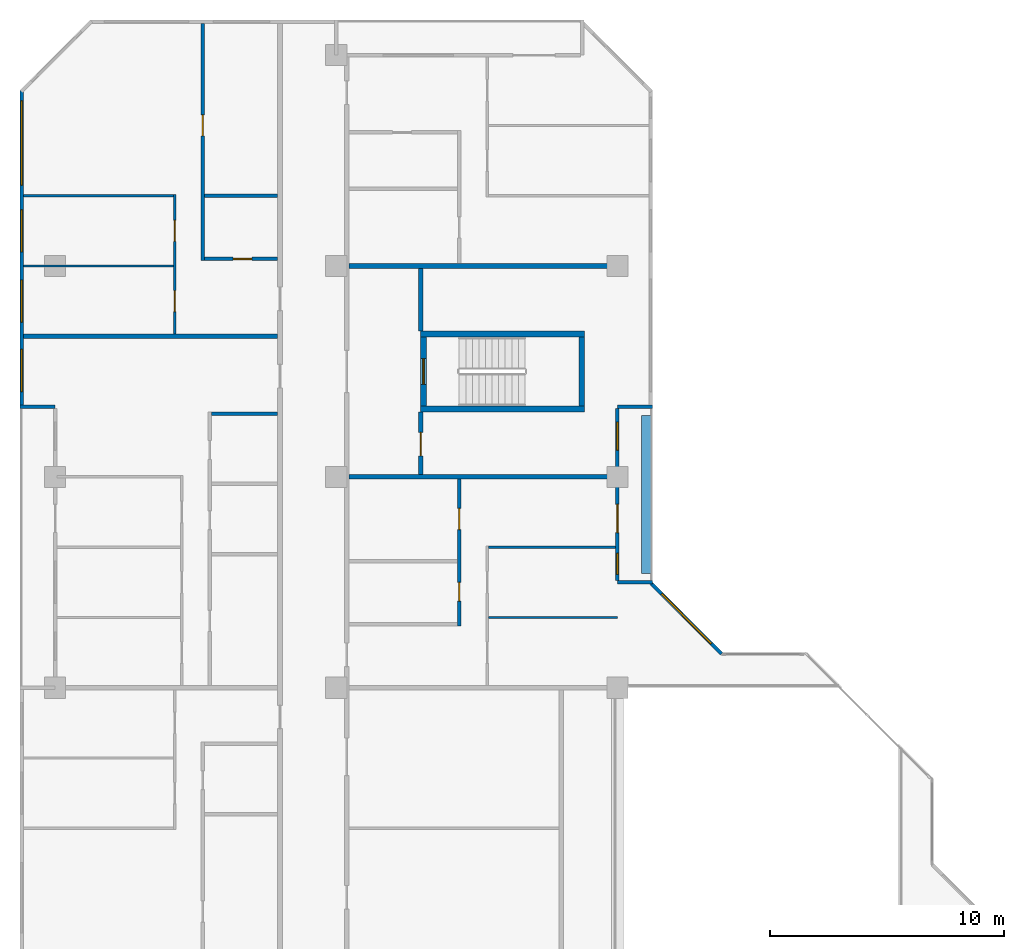
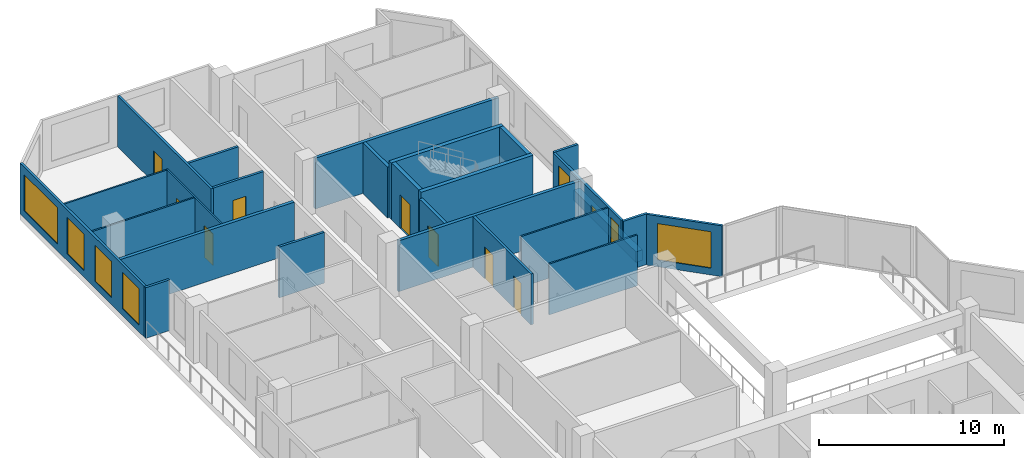
# One storey, part 10 of 14: 26 walls, 9 doors, 7 windows, 16 openings.
"""IFC4 building model written with IfcOpenShell, lengths in metres."""

import ifcopenshell
import ifcopenshell.guid

model = None  # the IFC model being written
_history = None  # IfcOwnerHistory: only IFC2X3 demands one
_inside = {}  # id of a spatial element -> (the spatial element, [elements in it])
_under = {}  # id of a project, library or spatial element -> (it, [spatial elements below it])
_declared = {}  # id of a project -> (the project, [libraries it declares])
_typed = {}  # id of a type object -> (the type object, [elements of that type])
_made_of = {}  # id of a material, layer set ... -> (it, [elements and type objects made of it])


def new_model(schema):
    """Start an empty IFC model of exactly this schema.

    Asked for "IFC4X3", IfcOpenShell would pick the latest addendum, in which some entities
    have other attributes; the version numbers below select the first issue.
    IFC2X3 requires an IfcOwnerHistory on every rooted entity: one is made here for all.
    """
    global model, _history
    if schema == "IFC4X3":
        model = ifcopenshell.file(schema_version=(4, 3, 0, 0))
    else:
        model = ifcopenshell.file(schema=schema)
    _inside.clear()
    _under.clear()
    _declared.clear()
    _typed.clear()
    _made_of.clear()
    _history = None
    if model.schema == "IFC2X3":
        org = make("IfcOrganization", Name="unknown")
        user = make(
            "IfcPersonAndOrganization",
            ThePerson=make("IfcPerson", FamilyName="unknown"),
            TheOrganization=org,
        )
        app = make(
            "IfcApplication",
            ApplicationDeveloper=org,
            Version="unknown",
            ApplicationFullName="unknown",
            ApplicationIdentifier="unknown",
        )
        _history = make(
            "IfcOwnerHistory",
            OwningUser=user,
            OwningApplication=app,
            ChangeAction="ADDED",
            CreationDate=0,
        )
    return model


def make(cls, **values):
    """One entity of the class cls with the attributes given. An attribute that is None is left unset."""
    return model.create_entity(
        cls, **{name: value for name, value in values.items() if value is not None}
    )


def rooted(cls, **values):
    """An entity with a GlobalId (a new one), such as an element, a storey or a relation."""
    return make(cls, GlobalId=ifcopenshell.guid.new(), OwnerHistory=_history, **values)


def si_unit(unit_type, name, prefix=None):
    """IfcSIUnit, for example si_unit("LENGTHUNIT", "METRE", prefix="MILLI")."""
    return make("IfcSIUnit", UnitType=unit_type, Prefix=prefix, Name=name)


def assignment(units):
    """IfcUnitAssignment: the units of a project."""
    return None if units is None else make("IfcUnitAssignment", Units=units)


def point(xyz):
    """IfcCartesianPoint."""
    return None if xyz is None else make("IfcCartesianPoint", Coordinates=xyz)


def direction(xyz):
    """IfcDirection."""
    return None if xyz is None else make("IfcDirection", DirectionRatios=xyz)


def frame(location, z_axis=None, x_axis=None):
    """IfcAxis2Placement3D, a coordinate frame: its origin and axes. An axis left out is left unset."""
    return make(
        "IfcAxis2Placement3D",
        Location=point(location),
        Axis=direction(z_axis),
        RefDirection=direction(x_axis),
    )


def frame_2d(location, x_axis=None):
    """IfcAxis2Placement2D, a coordinate frame in the plane: its origin and x axis."""
    return make(
        "IfcAxis2Placement2D", Location=point(location), RefDirection=direction(x_axis)
    )


def origin():
    """The frame at (0, 0, 0) with its axes left unset."""
    return frame((0.0, 0.0, 0.0))


def place(relative_to, where):
    """IfcLocalPlacement: puts the frame where relative to a parent placement (None: the world)."""
    return make(
        "IfcLocalPlacement", PlacementRelTo=relative_to, RelativePlacement=where
    )


def context(
    kind, dimensions, precision=None, world=None, true_north=None, identifier=None
):
    """IfcGeometricRepresentationContext, for example the 3D "Model" context."""
    return make(
        "IfcGeometricRepresentationContext",
        ContextIdentifier=identifier,
        ContextType=kind,
        CoordinateSpaceDimension=dimensions,
        Precision=precision,
        WorldCoordinateSystem=world,
        TrueNorth=true_north,
    )


def subcontext(parent, identifier, kind, view, scale=None):
    """IfcGeometricRepresentationSubContext, for example "Body" below "Model"."""
    return make(
        "IfcGeometricRepresentationSubContext",
        ContextIdentifier=identifier,
        ContextType=kind,
        ParentContext=parent,
        TargetScale=scale,
        TargetView=view,
    )


def project(units=None, contexts=None):
    """IfcProject with its units and contexts."""
    return rooted(
        "IfcProject",
        Name="project",
        RepresentationContexts=contexts,
        UnitsInContext=assignment(units),
    )


def spatial(cls, under=None, at=None, **own):
    """A site, building, storey or space (cls), placed at a placement, below another one or the project."""
    s = rooted(cls, ObjectPlacement=at, **own)
    if under is not None:
        _under.setdefault(under.id(), (under, []))[1].append(s)
    return s


def profile(cls, at=None, kind="AREA", **sizes):
    """A parametric profile (cls). Its sizes go by their IFC names, for example OverallWidth=200.0."""
    return make(cls, ProfileType=kind, Position=at, **sizes)


def rectangle(**sizes):
    """IfcRectangleProfileDef."""
    return profile("IfcRectangleProfileDef", **sizes)


def extrude(swept, where, along, depth):
    """IfcExtrudedAreaSolid: the profile swept, set in the frame where, extruded along a direction by depth."""
    return make(
        "IfcExtrudedAreaSolid",
        SweptArea=swept,
        Position=where,
        ExtrudedDirection=direction(along),
        Depth=depth,
    )


def shape(context_of_items, identifier, shape_type, items):
    """IfcShapeRepresentation: the items that make up one representation, for example the "Body"."""
    return make(
        "IfcShapeRepresentation",
        ContextOfItems=context_of_items,
        RepresentationIdentifier=identifier,
        RepresentationType=shape_type,
        Items=items,
    )


def material(Name=None, Category=None):
    """IfcMaterial."""
    return make("IfcMaterial", Name=Name, Category=Category)


def layer(
    of_material, thickness, ventilated=None, Name=None, Category=None, Priority=None
):
    """IfcMaterialLayer: one layer of a wall or slab, of a material (None: an air gap)."""
    return make(
        "IfcMaterialLayer",
        Material=of_material,
        LayerThickness=thickness,
        IsVentilated=ventilated,
        Name=Name,
        Category=Category,
        Priority=Priority,
    )


def layer_set(layers, Name=None):
    """IfcMaterialLayerSet."""
    return make("IfcMaterialLayerSet", MaterialLayers=layers, LayerSetName=Name)


def made_of(thing, what):
    """Note that an element or type object is made of a material, layer set ...; save() writes the relation."""
    if what is not None:
        _made_of.setdefault(what.id(), (what, []))[1].append(thing)
    return thing


def type_object(cls, material=None, **own):
    """A type object (cls), such as IfcWallType, which elements share."""
    return made_of(rooted(cls, **own), material)


def element(
    cls,
    number,
    at=None,
    inside=None,
    cuts=None,
    type_object=None,
    material=None,
    context=None,
    identifier="Body",
    shape_type=None,
    held_by="IfcProductDefinitionShape",
    body=None,
    shapes=None,
    **own,
):
    """One element of the class cls, such as IfcWall. Its Tag is "e" and its number.

    at: its placement. inside: the storey or other place that contains it. cuts: it is an
    opening in that element (IfcRelVoidsElement). A single representation is given by context,
    identifier, shape_type and body (its items); several are given by shapes. held_by: the class
    of the entity that holds the representations. save() writes the other relations.
    """
    e = rooted(cls, Tag="e%d" % number, ObjectPlacement=at, **own)
    if body is not None:
        shapes = [shape(context, identifier, shape_type, body)]
    if shapes is not None:
        e.Representation = make(held_by, Representations=shapes)
    if inside is not None:
        _inside.setdefault(inside.id(), (inside, []))[1].append(e)
    if cuts is not None:
        rooted(
            "IfcRelVoidsElement", RelatingBuildingElement=cuts, RelatedOpeningElement=e
        )
    if type_object is not None:
        _typed.setdefault(type_object.id(), (type_object, []))[1].append(e)
    return made_of(e, material)


def fill(opening, filler):
    """IfcRelFillsElement: the door or window that sits in an opening."""
    return rooted(
        "IfcRelFillsElement",
        RelatingOpeningElement=opening,
        RelatedBuildingElement=filler,
    )


def aggregate(whole, parts):
    """IfcRelAggregates: a whole, such as a stair, and the parts it consists of."""
    return rooted("IfcRelAggregates", RelatingObject=whole, RelatedObjects=parts)


def save(model, path):
    """Write the relations noted so far, then the file.

    IfcRelAggregates (storeys below a building ...), IfcRelContainedInSpatialStructure (elements
    in a storey), IfcRelDefinesByType, IfcRelAssociatesMaterial and IfcRelDeclares: one each for
    every whole, place, type object, material and project.
    """
    for whole, parts in _under.values():
        aggregate(whole, parts)
    for where, things in _inside.values():
        rooted(
            "IfcRelContainedInSpatialStructure",
            RelatedElements=things,
            RelatingStructure=where,
        )
    for kind, things in _typed.values():
        rooted("IfcRelDefinesByType", RelatedObjects=things, RelatingType=kind)
    for what, things in _made_of.values():
        rooted("IfcRelAssociatesMaterial", RelatedObjects=things, RelatingMaterial=what)
    for by, libraries in _declared.values():
        rooted("IfcRelDeclares", RelatingContext=by, RelatedDefinitions=libraries)
    model.write(path)


model = new_model("IFC4")

# Units and contexts
model_context = context("Model", 3, precision=1e-05, world=origin(), true_north=direction((0.0, 1.0)))
body_context = subcontext(model_context, "Body", "Model", "MODEL_VIEW")
ifc_project = project(units=[si_unit("LENGTHUNIT", "METRE"), si_unit("AREAUNIT", "SQUARE_METRE"), si_unit("VOLUMEUNIT", "CUBIC_METRE"), si_unit("PLANEANGLEUNIT", "RADIAN"), si_unit("MASSUNIT", "GRAM", prefix="KILO")], contexts=[model_context])

# Site, building, storey
site_placement = place(None, origin())
site = spatial("IfcSite", under=ifc_project, at=site_placement, CompositionType="ELEMENT")
building_placement = place(site_placement, origin())
building = spatial("IfcBuilding", under=site, at=building_placement, Name="Chenar Terraces", CompositionType="ELEMENT")
storey_placement = place(building_placement, frame((0.0, 0.0, 168.64990234375)))
storey = spatial("IfcBuildingStorey", under=building, at=storey_placement, Name="L38", CompositionType="ELEMENT", Elevation=168.64990234375)

# Walls
ifc_material_1 = material(Name="Concrete C60/75", Category="concrete")
ifc_layer_1 = layer(ifc_material_1, 0.25)
ifc_layer_set_1 = layer_set([ifc_layer_1], Name="Concrete C60/75")
wall_type_1 = type_object("IfcWallType", Name="Core wall 250 Concrete C60/75", PredefinedType="SHEAR", material=ifc_layer_set_1)
for number, where, z_axis, x_axis, name in (
    (1, (15.60009765625, 47.89990234375, 0.0), (0.0, 0.0, 1.0), (1.0, 0.0, 0.0), "Core wall ST4_S L38"),
    (2, (15.60009765625, 51.10009765625, 0.0), (0.0, 0.0, 1.0), (1.0, 0.0, 0.0), "Core wall ST4_N L38"),
):
    element("IfcWall", number, at=place(storey_placement, frame(where, z_axis=z_axis, x_axis=x_axis)), inside=storey, type_object=wall_type_1, Name=name, PredefinedType="SHEAR", context=body_context, shape_type="SweptSolid", body=[
        extrude(rectangle(XDim=7.0, YDim=0.25, at=frame_2d((3.5, 0.0))), origin(), (0.0, 0.0, 1.0), 3.75),
    ])

# Wall, opening, door
wall_1_placement = place(storey_placement, frame((15.72509765625, 48.02490234375, 0.0), z_axis=(0.0, 0.0, 1.0), x_axis=(0.0, 1.0, 0.0)))
wall_1 = element("IfcWall", 3, at=wall_1_placement, inside=storey, type_object=wall_type_1, Name="Core wall ST4_W L38", PredefinedType="SHEAR", context=body_context, shape_type="SweptSolid", body=[
    extrude(rectangle(XDim=2.9501953125, YDim=0.25, at=frame_2d((1.47509765625, 0.0))), origin(), (0.0, 0.0, 1.0), 3.75),
])
opening_1_placement = place(wall_1_placement, frame((0.925048828125, 0.0, 0.0)))
opening_1 = element("IfcOpeningElement", 4, at=opening_1_placement, cuts=wall_1, Name="Opening DL38-C9", PredefinedType="OPENING", context=body_context, shape_type="SweptSolid", body=[
    extrude(rectangle(XDim=1.10009765625, YDim=2.199951171875, at=frame_2d((0.550048828125, 1.10009765625))), frame((0.0, 0.135009765625, 0.0), z_axis=(0.0, -1.0, 0.0), x_axis=(1.0, 0.0, 0.0)), (0.0, 0.0, 1.0), 0.27001953125),
])
ifc_material_2 = material(Name="Steel-framed fire-resisting door leaf", Category="steel")
door_type_1 = type_object("IfcDoorType", Name="Stair fire door FD60 1100 x 2200", OperationType="SINGLE_SWING_LEFT", PredefinedType="DOOR", material=ifc_material_2)
door_1_placement = place(opening_1_placement, frame((1.10009765625, 0.0, 0.0), z_axis=(0.0, 0.0, 1.0), x_axis=(-1.0, 0.0, 0.0)))
door_1 = element("IfcDoor", 5, at=door_1_placement, inside=storey, type_object=door_type_1, Name="Stair door DL38-C9", OperationType="SINGLE_SWING_RIGHT", OverallHeight=2.199951171875, OverallWidth=1.10009765625, PredefinedType="DOOR", context=body_context, shape_type="SweptSolid", body=[
    extrude(rectangle(XDim=1.10009765625, YDim=2.199951171875, at=frame_2d((0.550048828125, 1.10009765625))), frame((0.0, 0.02490234375, 0.0), z_axis=(0.0, -1.0, 0.0), x_axis=(1.0, 0.0, 0.0)), (0.0, 0.0, 1.0), 0.050048828125),
])
fill(opening_1, door_1)

# Wall
wall_2_placement = place(storey_placement, frame((22.47509765625, 48.02490234375, 0.0), z_axis=(0.0, 0.0, 1.0), x_axis=(0.0, 1.0, 0.0)))
element("IfcWall", 6, at=wall_2_placement, inside=storey, type_object=wall_type_1, Name="Core wall ST4_E L38", PredefinedType="SHEAR", context=body_context, shape_type="SweptSolid", body=[
    extrude(rectangle(XDim=2.9501953125, YDim=0.25, at=frame_2d((1.47509765625, 0.0))), origin(), (0.0, 0.0, 1.0), 3.75),
])

# Wall, opening, door
ifc_material_3 = material(Name="Gypsum board on steel studs with fire boards", Category="steel")
ifc_layer_2 = layer(ifc_material_3, 0.199951171875)
ifc_layer_set_2 = layer_set([ifc_layer_2], Name="Gypsum board on steel studs with fire boards")
wall_type_2 = type_object("IfcWallType", Name="Corridor wall 200", PredefinedType="PARTITIONING", material=ifc_layer_set_2)
wall_3_placement = place(storey_placement, frame((15.60009765625, 45.10009765625, 0.0), z_axis=(0.0, 0.0, 1.0), x_axis=(0.0, 1.0, 0.0)))
wall_3 = element("IfcWall", 7, at=wall_3_placement, inside=storey, type_object=wall_type_2, Name="Partition L38-042", PredefinedType="PARTITIONING", context=body_context, shape_type="SweptSolid", body=[
    extrude(rectangle(XDim=2.6748046875, YDim=0.199951171875, at=frame_2d((1.33740234375, 0.0))), origin(), (0.0, 0.0, 1.0), 3.35009765625),
])
opening_2_placement = place(wall_3_placement, frame((0.800048828125, 0.0, 0.0)))
opening_2 = element("IfcOpeningElement", 8, at=opening_2_placement, cuts=wall_3, Name="Opening DL38-44", PredefinedType="OPENING", context=body_context, shape_type="SweptSolid", body=[
    extrude(rectangle(XDim=1.0, YDim=2.10009765625, at=frame_2d((0.5, 1.050048828125))), frame((0.0, 0.10986328125, 0.0), z_axis=(0.0, -1.0, 0.0), x_axis=(1.0, 0.0, 0.0)), (0.0, 0.0, 1.0), 0.219970703125),
])
ifc_material_4 = material(Name="Steel-framed fire-resisting door leaf", Category="steel")
door_type_2 = type_object("IfcDoorType", Name="Fire door FD60 1000 x 2100", OperationType="SINGLE_SWING_LEFT", PredefinedType="DOOR", material=ifc_material_4)
door_2_placement = place(opening_2_placement, frame((1.0, 0.0, 0.0), z_axis=(0.0, 0.0, 1.0), x_axis=(-1.0, 0.0, 0.0)))
door_2 = element("IfcDoor", 9, at=door_2_placement, inside=storey, type_object=door_type_2, Name="Door DL38-44", OperationType="SINGLE_SWING_RIGHT", OverallHeight=2.10009765625, OverallWidth=1.0, PredefinedType="DOOR", context=body_context, shape_type="SweptSolid", body=[
    extrude(rectangle(XDim=1.0, YDim=2.10009765625, at=frame_2d((0.5, 1.050048828125))), frame((0.0, 0.02490234375, 0.0), z_axis=(0.0, -1.0, 0.0), x_axis=(1.0, 0.0, 0.0)), (0.0, 0.0, 1.0), 0.050048828125),
])
fill(opening_2, door_2)

# Wall
wall_4_placement = place(storey_placement, frame((15.60009765625, 51.22509765625, 0.0), z_axis=(0.0, 0.0, 1.0), x_axis=(0.0, 1.0, 0.0)))
element("IfcWall", 10, at=wall_4_placement, inside=storey, type_object=wall_type_2, Name="Partition L38-043", PredefinedType="PARTITIONING", context=body_context, shape_type="SweptSolid", body=[
    extrude(rectangle(XDim=2.6748046875, YDim=0.199951171875, at=frame_2d((1.33740234375, 0.0))), origin(), (0.0, 0.0, 1.0), 3.35009765625),
])

# Wall, openings, windows
ifc_material_5 = material(Name="Aluminium framed glazing", Category="aluminium")
ifc_layer_3 = layer(ifc_material_5, 0.14990234375)
ifc_layer_set_3 = layer_set([ifc_layer_3], Name="Aluminium framed glazing")
wall_type_3 = type_object("IfcWallType", Name="Glazed flush facade wall 150", PredefinedType="SOLIDWALL", material=ifc_layer_set_3)
wall_5_placement = place(storey_placement, frame((-1.425048828125, 61.5, 0.0), z_axis=(0.0, 0.0, 1.0), x_axis=(0.0, -1.0, 0.0)))
wall_5 = element("IfcWall", 11, at=wall_5_placement, inside=storey, type_object=wall_type_3, Name="Glazed flush facade wall", PredefinedType="SOLIDWALL", context=body_context, shape_type="SweptSolid", body=[
    extrude(rectangle(XDim=13.425048828125, YDim=0.14990234375, at=frame_2d((6.71240234375, 0.0))), origin(), (0.0, 0.0, 1.0), 3.35009765625),
])
opening_3_placement = place(wall_5_placement, frame((0.449951171875, 0.0, 0.449951171875)))
opening_3 = element("IfcOpeningElement", 12, at=opening_3_placement, cuts=wall_5, Name="Opening W360x240", PredefinedType="OPENING", context=body_context, shape_type="SweptSolid", body=[
    extrude(rectangle(XDim=3.60009765625, YDim=2.39990234375, at=frame_2d((1.800048828125, 1.199951171875))), frame((0.0, 0.0849609375, 0.0), z_axis=(0.0, -1.0, 0.0), x_axis=(1.0, 0.0, 0.0)), (0.0, 0.0, 1.0), 0.169921875),
])
opening_4_placement = place(wall_5_placement, frame((5.10009765625, 0.0, 0.449951171875)))
opening_4 = element("IfcOpeningElement", 13, at=opening_4_placement, cuts=wall_5, Name="Opening W180x240", PredefinedType="OPENING", context=body_context, shape_type="SweptSolid", body=[
    extrude(rectangle(XDim=1.800048828125, YDim=2.39990234375, at=frame_2d((0.89990234375, 1.199951171875))), frame((0.0, 0.0849609375, 0.0), z_axis=(0.0, -1.0, 0.0), x_axis=(1.0, 0.0, 0.0)), (0.0, 0.0, 1.0), 0.169921875),
])
opening_5_placement = place(wall_5_placement, frame((8.10009765625, 0.0, 0.449951171875)))
opening_5 = element("IfcOpeningElement", 14, at=opening_5_placement, cuts=wall_5, Name="Opening W180x240", PredefinedType="OPENING", context=body_context, shape_type="SweptSolid", body=[
    extrude(rectangle(XDim=1.800048828125, YDim=2.39990234375, at=frame_2d((0.89990234375, 1.199951171875))), frame((0.0, 0.0849609375, 0.0), z_axis=(0.0, -1.0, 0.0), x_axis=(1.0, 0.0, 0.0)), (0.0, 0.0, 1.0), 0.169921875),
])
opening_6_placement = place(wall_5_placement, frame((11.0625, 0.0, 0.449951171875)))
opening_6 = element("IfcOpeningElement", 15, at=opening_6_placement, cuts=wall_5, Name="Opening W180x240", PredefinedType="OPENING", context=body_context, shape_type="SweptSolid", body=[
    extrude(rectangle(XDim=1.800048828125, YDim=2.39990234375, at=frame_2d((0.89990234375, 1.199951171875))), frame((0.0, 0.0849609375, 0.0), z_axis=(0.0, -1.0, 0.0), x_axis=(1.0, 0.0, 0.0)), (0.0, 0.0, 1.0), 0.169921875),
])
ifc_material_6 = material(Name="Low emissivity double glazing, aluminium frame", Category="aluminium")
window_type_1 = type_object("IfcWindowType", Name="Fixed light 1800 x 2400", PartitioningType="SINGLE_PANEL", PredefinedType="WINDOW", material=ifc_material_6)
window_1_placement = place(opening_4_placement, origin())
window_1 = element("IfcWindow", 16, at=window_1_placement, inside=storey, type_object=window_type_1, Name="Window", OverallHeight=2.39990234375, OverallWidth=1.800048828125, PartitioningType="SINGLE_PANEL", PredefinedType="WINDOW", context=body_context, shape_type="SweptSolid", body=[
    extrude(rectangle(XDim=1.800048828125, YDim=2.39990234375, at=frame_2d((0.89990234375, 1.199951171875))), frame((0.0, 0.030029296875, 0.0), z_axis=(0.0, -1.0, 0.0), x_axis=(1.0, 0.0, 0.0)), (0.0, 0.0, 1.0), 0.06005859375),
])
fill(opening_4, window_1)
window_2_placement = place(opening_5_placement, origin())
window_2 = element("IfcWindow", 17, at=window_2_placement, inside=storey, type_object=window_type_1, Name="Window", OverallHeight=2.39990234375, OverallWidth=1.800048828125, PartitioningType="SINGLE_PANEL", PredefinedType="WINDOW", context=body_context, shape_type="SweptSolid", body=[
    extrude(rectangle(XDim=1.800048828125, YDim=2.39990234375, at=frame_2d((0.89990234375, 1.199951171875))), frame((0.0, 0.030029296875, 0.0), z_axis=(0.0, -1.0, 0.0), x_axis=(1.0, 0.0, 0.0)), (0.0, 0.0, 1.0), 0.06005859375),
])
fill(opening_5, window_2)
window_3_placement = place(opening_6_placement, origin())
window_3 = element("IfcWindow", 18, at=window_3_placement, inside=storey, type_object=window_type_1, Name="Window", OverallHeight=2.39990234375, OverallWidth=1.800048828125, PartitioningType="SINGLE_PANEL", PredefinedType="WINDOW", context=body_context, shape_type="SweptSolid", body=[
    extrude(rectangle(XDim=1.800048828125, YDim=2.39990234375, at=frame_2d((0.89990234375, 1.199951171875))), frame((0.0, 0.030029296875, 0.0), z_axis=(0.0, -1.0, 0.0), x_axis=(1.0, 0.0, 0.0)), (0.0, 0.0, 1.0), 0.06005859375),
])
fill(opening_6, window_3)
ifc_material_7 = material(Name="Low emissivity double glazing, aluminium frame", Category="aluminium")
window_type_2 = type_object("IfcWindowType", Name="Fixed light 3600 x 2400", PartitioningType="SINGLE_PANEL", PredefinedType="WINDOW", material=ifc_material_7)
window_4_placement = place(opening_3_placement, origin())
window_4 = element("IfcWindow", 19, at=window_4_placement, inside=storey, type_object=window_type_2, Name="Window", OverallHeight=2.39990234375, OverallWidth=3.60009765625, PartitioningType="SINGLE_PANEL", PredefinedType="WINDOW", context=body_context, shape_type="SweptSolid", body=[
    extrude(rectangle(XDim=3.60009765625, YDim=2.39990234375, at=frame_2d((1.800048828125, 1.199951171875))), frame((0.0, 0.030029296875, 0.0), z_axis=(0.0, -1.0, 0.0), x_axis=(1.0, 0.0, 0.0)), (0.0, 0.0, 1.0), 0.06005859375),
])
fill(opening_3, window_4)

# Wall, openings, windows, door
ifc_material_8 = material(Name="Aluminium framed glazing", Category="aluminium")
ifc_layer_4 = layer(ifc_material_8, 0.14990234375)
ifc_layer_set_4 = layer_set([ifc_layer_4], Name="Aluminium framed glazing")
wall_type_4 = type_object("IfcWallType", Name="Glazed loggia back wall 150", PredefinedType="SOLIDWALL", material=ifc_layer_set_4)
wall_6_placement = place(storey_placement, frame((24.0, 40.574951171875, 0.0), z_axis=(0.0, 0.0, 1.0), x_axis=(0.0, 1.0, 0.0)))
wall_6 = element("IfcWall", 20, at=wall_6_placement, inside=storey, type_object=wall_type_4, Name="Glazed loggia back wall", PredefinedType="SOLIDWALL", context=body_context, shape_type="SweptSolid", body=[
    extrude(rectangle(XDim=7.35009765625, YDim=0.14990234375, at=frame_2d((3.675048828125, 0.0))), origin(), (0.0, 0.0, 1.0), 3.35009765625),
])
opening_7_placement = place(wall_6_placement, frame((0.262451171875, 0.0, 0.449951171875)))
opening_7 = element("IfcOpeningElement", 21, at=opening_7_placement, cuts=wall_6, Name="Opening W90x240", PredefinedType="OPENING", context=body_context, shape_type="SweptSolid", body=[
    extrude(rectangle(XDim=0.89990234375, YDim=2.39990234375, at=frame_2d((0.449951171875, 1.199951171875))), frame((0.0, 0.0849609375, 0.0), z_axis=(0.0, -1.0, 0.0), x_axis=(1.0, 0.0, 0.0)), (0.0, 0.0, 1.0), 0.169921875),
])
opening_8_placement = place(wall_6_placement, frame((2.050048828125, 0.0, 0.0)))
opening_8 = element("IfcOpeningElement", 22, at=opening_8_placement, cuts=wall_6, Name="Opening DL38-G1", PredefinedType="OPENING", context=body_context, shape_type="SweptSolid", body=[
    extrude(rectangle(XDim=1.199951171875, YDim=2.39990234375, at=frame_2d((0.60009765625, 1.199951171875))), frame((0.0, 0.0849609375, 0.0), z_axis=(0.0, -1.0, 0.0), x_axis=(1.0, 0.0, 0.0)), (0.0, 0.0, 1.0), 0.169921875),
])
opening_9_placement = place(wall_6_placement, frame((5.5625, 0.0, 0.449951171875)))
opening_9 = element("IfcOpeningElement", 23, at=opening_9_placement, cuts=wall_6, Name="Opening W120x240", PredefinedType="OPENING", context=body_context, shape_type="SweptSolid", body=[
    extrude(rectangle(XDim=1.199951171875, YDim=2.39990234375, at=frame_2d((0.60009765625, 1.199951171875))), frame((0.0, 0.0849609375, 0.0), z_axis=(0.0, -1.0, 0.0), x_axis=(1.0, 0.0, 0.0)), (0.0, 0.0, 1.0), 0.169921875),
])
ifc_material_9 = material(Name="Low emissivity double glazing, aluminium frame", Category="aluminium")
window_type_3 = type_object("IfcWindowType", Name="Fixed light 1200 x 2400", PartitioningType="SINGLE_PANEL", PredefinedType="WINDOW", material=ifc_material_9)
window_5_placement = place(opening_9_placement, origin())
window_5 = element("IfcWindow", 24, at=window_5_placement, inside=storey, type_object=window_type_3, Name="Window", OverallHeight=2.39990234375, OverallWidth=1.199951171875, PartitioningType="SINGLE_PANEL", PredefinedType="WINDOW", context=body_context, shape_type="SweptSolid", body=[
    extrude(rectangle(XDim=1.199951171875, YDim=2.39990234375, at=frame_2d((0.60009765625, 1.199951171875))), frame((0.0, 0.030029296875, 0.0), z_axis=(0.0, -1.0, 0.0), x_axis=(1.0, 0.0, 0.0)), (0.0, 0.0, 1.0), 0.06005859375),
])
fill(opening_9, window_5)
ifc_material_10 = material(Name="Low emissivity double glazing, aluminium frame", Category="aluminium")
window_type_4 = type_object("IfcWindowType", Name="Fixed light 900 x 2400", PartitioningType="SINGLE_PANEL", PredefinedType="WINDOW", material=ifc_material_10)
window_6_placement = place(opening_7_placement, origin())
window_6 = element("IfcWindow", 25, at=window_6_placement, inside=storey, type_object=window_type_4, Name="Window", OverallHeight=2.39990234375, OverallWidth=0.89990234375, PartitioningType="SINGLE_PANEL", PredefinedType="WINDOW", context=body_context, shape_type="SweptSolid", body=[
    extrude(rectangle(XDim=0.89990234375, YDim=2.39990234375, at=frame_2d((0.449951171875, 1.199951171875))), frame((0.0, 0.030029296875, 0.0), z_axis=(0.0, -1.0, 0.0), x_axis=(1.0, 0.0, 0.0)), (0.0, 0.0, 1.0), 0.06005859375),
])
fill(opening_7, window_6)
ifc_material_11 = material(Name="Low emissivity double glazing, aluminium frame", Category="aluminium")
door_type_3 = type_object("IfcDoorType", Name="Loggia glazed double door 1200 x 2400", OperationType="DOUBLE_DOOR_SINGLE_SWING", PredefinedType="DOOR", material=ifc_material_11)
door_3_placement = place(opening_8_placement, frame((1.199951171875, 0.0, 0.0), z_axis=(0.0, 0.0, 1.0), x_axis=(-1.0, 0.0, 0.0)))
door_3 = element("IfcDoor", 26, at=door_3_placement, inside=storey, type_object=door_type_3, Name="Loggia glazed door", OperationType="DOUBLE_DOOR_SINGLE_SWING", OverallHeight=2.39990234375, OverallWidth=1.199951171875, PredefinedType="DOOR", context=body_context, shape_type="SweptSolid", body=[
    extrude(rectangle(XDim=1.199951171875, YDim=2.39990234375, at=frame_2d((0.60009765625, 1.199951171875))), frame((0.0, 0.02490234375, 0.0), z_axis=(0.0, -1.0, 0.0), x_axis=(1.0, 0.0, 0.0)), (0.0, 0.0, 1.0), 0.050048828125),
])
fill(opening_8, door_3)

# Walls
ifc_material_12 = material(Name="Gypsum board on steel studs", Category="steel")
ifc_layer_5 = layer(ifc_material_12, 0.10009765625)
ifc_layer_set_5 = layer_set([ifc_layer_5], Name="Gypsum board on steel studs")
wall_type_5 = type_object("IfcWallType", Name="Gypsum partition 100", PredefinedType="PARTITIONING", material=ifc_layer_set_5)
wall_7_placement = place(storey_placement, frame((-1.35107421875, 54.0, 0.0), z_axis=(0.0, 0.0, 1.0), x_axis=(1.0, 0.0, 0.0)))
element("IfcWall", 27, at=wall_7_placement, inside=storey, type_object=wall_type_5, Name="Partition L38-002", PredefinedType="PARTITIONING", context=body_context, shape_type="SweptSolid", body=[
    extrude(rectangle(XDim=6.401123046875, YDim=0.10009765625, at=frame_2d((3.20068359375, 0.0))), origin(), (0.0, 0.0, 1.0), 3.35009765625),
])
wall_8_placement = place(storey_placement, frame((-1.35009765625, 57.0, 0.0), z_axis=(0.0, 0.0, 1.0), x_axis=(1.0, 0.0, 0.0)))
element("IfcWall", 28, at=wall_8_placement, inside=storey, type_object=wall_type_5, Name="Partition L38-006", PredefinedType="PARTITIONING", context=body_context, shape_type="SweptSolid", body=[
    extrude(rectangle(XDim=6.400146484375, YDim=0.10009765625, at=frame_2d((3.2001953125, 0.0))), origin(), (0.0, 0.0, 1.0), 3.35009765625),
])

# Wall, openings, doors
wall_9_placement = place(storey_placement, frame((5.10009765625, 51.10009765625, 0.0), z_axis=(0.0, 0.0, 1.0), x_axis=(0.0, 1.0, 0.0)))
wall_9 = element("IfcWall", 29, at=wall_9_placement, inside=storey, type_object=wall_type_5, Name="Partition L38-014", PredefinedType="PARTITIONING", context=body_context, shape_type="SweptSolid", body=[
    extrude(rectangle(XDim=5.949951171875, YDim=0.10009765625, at=frame_2d((2.97509765625, 0.0))), origin(), (0.0, 0.0, 1.0), 3.35009765625),
])
opening_10_placement = place(wall_9_placement, frame((0.949951171875, 0.0, 0.0)))
opening_10 = element("IfcOpeningElement", 30, at=opening_10_placement, cuts=wall_9, Name="Opening DL38-35", PredefinedType="OPENING", context=body_context, shape_type="SweptSolid", body=[
    extrude(rectangle(XDim=0.89990234375, YDim=2.10009765625, at=frame_2d((0.449951171875, 1.050048828125))), frame((0.0, 0.06005859375, 0.0), z_axis=(0.0, -1.0, 0.0), x_axis=(1.0, 0.0, 0.0)), (0.0, 0.0, 1.0), 0.1201171875),
])
opening_11_placement = place(wall_9_placement, frame((3.949951171875, 0.0, 0.0)))
opening_11 = element("IfcOpeningElement", 31, at=opening_11_placement, cuts=wall_9, Name="Opening DL38-36", PredefinedType="OPENING", context=body_context, shape_type="SweptSolid", body=[
    extrude(rectangle(XDim=0.89990234375, YDim=2.10009765625, at=frame_2d((0.449951171875, 1.050048828125))), frame((0.0, 0.06005859375, 0.0), z_axis=(0.0, -1.0, 0.0), x_axis=(1.0, 0.0, 0.0)), (0.0, 0.0, 1.0), 0.1201171875),
])
ifc_material_13 = material(Name="Veneered timber door leaf", Category="wood")
door_type_4 = type_object("IfcDoorType", Name="Door 900 x 2100", OperationType="SINGLE_SWING_LEFT", PredefinedType="DOOR", material=ifc_material_13)
door_4_placement = place(opening_10_placement, origin())
door_4 = element("IfcDoor", 32, at=door_4_placement, inside=storey, type_object=door_type_4, Name="Door DL38-35", OperationType="SINGLE_SWING_RIGHT", OverallHeight=2.10009765625, OverallWidth=0.89990234375, PredefinedType="DOOR", context=body_context, shape_type="SweptSolid", body=[
    extrude(rectangle(XDim=0.89990234375, YDim=2.10009765625, at=frame_2d((0.449951171875, 1.050048828125))), frame((0.0, 0.02490234375, 0.0), z_axis=(0.0, -1.0, 0.0), x_axis=(1.0, 0.0, 0.0)), (0.0, 0.0, 1.0), 0.050048828125),
])
fill(opening_10, door_4)
door_5_placement = place(opening_11_placement, origin())
door_5 = element("IfcDoor", 33, at=door_5_placement, inside=storey, type_object=door_type_4, Name="Door DL38-36", OperationType="SINGLE_SWING_RIGHT", OverallHeight=2.10009765625, OverallWidth=0.89990234375, PredefinedType="DOOR", context=body_context, shape_type="SweptSolid", body=[
    extrude(rectangle(XDim=0.89990234375, YDim=2.10009765625, at=frame_2d((0.449951171875, 1.050048828125))), frame((0.0, 0.02490234375, 0.0), z_axis=(0.0, -1.0, 0.0), x_axis=(1.0, 0.0, 0.0)), (0.0, 0.0, 1.0), 0.050048828125),
])
fill(opening_11, door_5)

# Walls
wall_10_placement = place(storey_placement, frame((18.5, 39.0, 0.0), z_axis=(0.0, 0.0, 1.0), x_axis=(1.0, 0.0, 0.0)))
element("IfcWall", 34, at=wall_10_placement, inside=storey, type_object=wall_type_5, Name="Partition L38-049", PredefinedType="PARTITIONING", context=body_context, shape_type="SweptSolid", body=[
    extrude(rectangle(XDim=5.5, YDim=0.10009765625, at=frame_2d((2.75, 0.0))), origin(), (0.0, 0.0, 1.0), 3.35009765625),
])
wall_11_placement = place(storey_placement, frame((18.5, 42.0, 0.0), z_axis=(0.0, 0.0, 1.0), x_axis=(1.0, 0.0, 0.0)))
element("IfcWall", 35, at=wall_11_placement, inside=storey, type_object=wall_type_5, Name="Partition L38-050", PredefinedType="PARTITIONING", context=body_context, shape_type="SweptSolid", body=[
    extrude(rectangle(XDim=5.426025390625, YDim=0.10009765625, at=frame_2d((2.712890625, 0.0))), origin(), (0.0, 0.0, 1.0), 3.35009765625),
])
ifc_material_14 = material(Name="Terracotta cladding on insulated backing", Category="masonry")
ifc_layer_6 = layer(ifc_material_14, 0.14990234375)
ifc_layer_set_6 = layer_set([ifc_layer_6], Name="Terracotta cladding on insulated backing")
wall_type_6 = type_object("IfcWallType", Name="Loggia return wall 150", PredefinedType="SOLIDWALL", material=ifc_layer_set_6)
for number, where, z_axis, x_axis, name in (
    (36, (25.5, 40.5, 0.0), (0.0, 0.0, 1.0), (-1.0, 0.0, 0.0), "Loggia return wall"),
    (37, (25.5, 48.0, 0.0), (0.0, 0.0, 1.0), (-1.0, 0.0, 0.0), "Loggia return wall"),
    (38, (-1.5, 48.0, 0.0), (0.0, 0.0, 1.0), (1.0, 0.0, 0.0), "Loggia return wall"),
):
    element("IfcWall", number, at=place(storey_placement, frame(where, z_axis=z_axis, x_axis=x_axis)), inside=storey, type_object=wall_type_6, Name=name, PredefinedType="SOLIDWALL", context=body_context, shape_type="SweptSolid", body=[
        extrude(rectangle(XDim=1.5, YDim=0.14990234375, at=frame_2d((0.75, 0.0))), origin(), (0.0, 0.0, 1.0), 3.35009765625),
    ])

# Wall, opening, window
ifc_material_15 = material(Name="Terracotta cladding on insulated backing", Category="masonry")
ifc_layer_7 = layer(ifc_material_15, 0.14990234375)
ifc_layer_set_7 = layer_set([ifc_layer_7], Name="Terracotta cladding on insulated backing")
wall_type_7 = type_object("IfcWallType", Name="Terracotta rainscreen wall 150", PredefinedType="SOLIDWALL", material=ifc_layer_set_7)
wall_12_placement = place(storey_placement, frame((28.447021484375, 37.447021484375, 0.0), z_axis=(0.0, 0.0, 1.0), x_axis=(-0.707106781187, 0.707106781187, 0.0)))
wall_12 = element("IfcWall", 39, at=wall_12_placement, inside=storey, type_object=wall_type_7, Name="Terracotta rainscreen wall", PredefinedType="SOLIDWALL", context=body_context, shape_type="SweptSolid", body=[
    extrude(rectangle(XDim=4.24267578125, YDim=0.14990234375, at=frame_2d((2.121337890625, 0.0))), origin(), (0.0, 0.0, 1.0), 3.35009765625),
])
opening_12_placement = place(wall_12_placement, frame((0.621337890625, 0.0, 0.449951171875)))
opening_12 = element("IfcOpeningElement", 40, at=opening_12_placement, cuts=wall_12, Name="Opening W300x240", PredefinedType="OPENING", context=body_context, shape_type="SweptSolid", body=[
    extrude(rectangle(XDim=3.0, YDim=2.39990234375, at=frame_2d((1.5, 1.199951171875))), frame((0.0, 0.0849609375, 0.0), z_axis=(0.0, -1.0, 0.0), x_axis=(1.0, 0.0, 0.0)), (0.0, 0.0, 1.0), 0.169921875),
])
ifc_material_16 = material(Name="Low emissivity double glazing, aluminium frame", Category="aluminium")
window_type_5 = type_object("IfcWindowType", Name="Fixed light 3000 x 2400", PartitioningType="SINGLE_PANEL", PredefinedType="WINDOW", material=ifc_material_16)
window_7_placement = place(opening_12_placement, origin())
window_7 = element("IfcWindow", 41, at=window_7_placement, inside=storey, type_object=window_type_5, Name="Window", OverallHeight=2.39990234375, OverallWidth=3.0, PartitioningType="SINGLE_PANEL", PredefinedType="WINDOW", context=body_context, shape_type="SweptSolid", body=[
    extrude(rectangle(XDim=3.0, YDim=2.39990234375, at=frame_2d((1.5, 1.199951171875))), frame((0.0, 0.030029296875, 0.0), z_axis=(0.0, -1.0, 0.0), x_axis=(1.0, 0.0, 0.0)), (0.0, 0.0, 1.0), 0.06005859375),
])
fill(opening_12, window_7)

# Walls
ifc_material_17 = material(Name="Twin gypsum board on steel studs with mineral wool", Category="steel")
ifc_layer_8 = layer(ifc_material_17, 0.199951171875)
ifc_layer_set_8 = layer_set([ifc_layer_8], Name="Twin gypsum board on steel studs with mineral wool")
wall_type_8 = type_object("IfcWallType", Name="Unit demising wall 200", PredefinedType="PARTITIONING", material=ifc_layer_set_8)
wall_13_placement = place(storey_placement, frame((-1.35009765625, 51.0, 0.0), z_axis=(0.0, 0.0, 1.0), x_axis=(1.0, 0.0, 0.0)))
element("IfcWall", 42, at=wall_13_placement, inside=storey, type_object=wall_type_8, Name="Partition L38-005", PredefinedType="PARTITIONING", context=body_context, shape_type="SweptSolid", body=[
    extrude(rectangle(XDim=10.85009765625, YDim=0.199951171875, at=frame_2d((5.425048828125, 0.0))), origin(), (0.0, 0.0, 1.0), 3.35009765625),
])
wall_14_placement = place(storey_placement, frame((12.550048828125, 45.0, 0.0), z_axis=(0.0, 0.0, 1.0), x_axis=(1.0, 0.0, 0.0)))
element("IfcWall", 43, at=wall_14_placement, inside=storey, type_object=wall_type_8, Name="Partition L38-037", PredefinedType="PARTITIONING", context=body_context, shape_type="SweptSolid", body=[
    extrude(rectangle(XDim=11.3759765625, YDim=0.199951171875, at=frame_2d((5.68798828125, 0.0))), origin(), (0.0, 0.0, 1.0), 3.35009765625),
])
wall_15_placement = place(storey_placement, frame((12.550048828125, 54.0, 0.0), z_axis=(0.0, 0.0, 1.0), x_axis=(1.0, 0.0, 0.0)))
element("IfcWall", 44, at=wall_15_placement, inside=storey, type_object=wall_type_8, Name="Partition L38-038", PredefinedType="PARTITIONING", context=body_context, shape_type="SweptSolid", body=[
    extrude(rectangle(XDim=11.449951171875, YDim=0.199951171875, at=frame_2d((5.72509765625, 0.0))), origin(), (0.0, 0.0, 1.0), 3.35009765625),
])
ifc_material_18 = material(Name="GRP planter trough")
ifc_layer_9 = layer(ifc_material_18, 0.39990234375)
ifc_layer_set_9 = layer_set([ifc_layer_9], Name="GRP planter trough")
wall_type_9 = type_object("IfcWallType", Name="Vertical greenery planter 400", PredefinedType="SOLIDWALL", material=ifc_layer_set_9)
wall_16_placement = place(storey_placement, frame((25.22900390625, 40.875, 0.0), z_axis=(0.0, 0.0, 1.0), x_axis=(0.0, 1.0, 0.0)))
element("IfcWall", 45, at=wall_16_placement, inside=storey, type_object=wall_type_9, Name="Vertical greenery planter", PredefinedType="SOLIDWALL", context=body_context, shape_type="SweptSolid", body=[
    extrude(rectangle(XDim=6.75, YDim=0.39990234375, at=frame_2d((3.375, 0.0))), origin(), (0.0, 0.0, 1.0), 0.7001953125),
])

# Wall, opening, door
ifc_material_19 = material(Name="Moisture-resistant gypsum board on steel studs", Category="steel")
ifc_layer_10 = layer(ifc_material_19, 0.14990234375)
ifc_layer_set_10 = layer_set([ifc_layer_10], Name="Moisture-resistant gypsum board on steel studs")
wall_type_10 = type_object("IfcWallType", Name="Wet-room partition 150", PredefinedType="PARTITIONING", material=ifc_layer_set_10)
wall_17_placement = place(storey_placement, frame((6.300048828125, 54.22509765625, 0.0), z_axis=(0.0, 0.0, 1.0), x_axis=(0.0, 1.0, 0.0)))
wall_17 = element("IfcWall", 46, at=wall_17_placement, inside=storey, type_object=wall_type_10, Name="Partition L38-017", PredefinedType="PARTITIONING", context=body_context, shape_type="SweptSolid", body=[
    extrude(rectangle(XDim=10.125, YDim=0.14990234375, at=frame_2d((5.0625, 0.0))), origin(), (0.0, 0.0, 1.0), 3.35009765625),
])
opening_13_placement = place(wall_17_placement, frame((5.324951171875, 0.0, 0.0)))
opening_13 = element("IfcOpeningElement", 47, at=opening_13_placement, cuts=wall_17, Name="Opening DL38-37", PredefinedType="OPENING", context=body_context, shape_type="SweptSolid", body=[
    extrude(rectangle(XDim=0.89990234375, YDim=2.10009765625, at=frame_2d((0.449951171875, 1.050048828125))), frame((0.0, 0.0849609375, 0.0), z_axis=(0.0, -1.0, 0.0), x_axis=(1.0, 0.0, 0.0)), (0.0, 0.0, 1.0), 0.169921875),
])
door_6_placement = place(opening_13_placement, frame((0.89990234375, 0.0, 0.0), z_axis=(0.0, 0.0, 1.0), x_axis=(-1.0, 0.0, 0.0)))
door_6 = element("IfcDoor", 48, at=door_6_placement, inside=storey, type_object=door_type_4, Name="Door DL38-37", OperationType="SINGLE_SWING_RIGHT", OverallHeight=2.10009765625, OverallWidth=0.89990234375, PredefinedType="DOOR", context=body_context, shape_type="SweptSolid", body=[
    extrude(rectangle(XDim=0.89990234375, YDim=2.10009765625, at=frame_2d((0.449951171875, 1.050048828125))), frame((0.0, 0.02490234375, 0.0), z_axis=(0.0, -1.0, 0.0), x_axis=(1.0, 0.0, 0.0)), (0.0, 0.0, 1.0), 0.050048828125),
])
fill(opening_13, door_6)

wall_18_placement = place(storey_placement, frame((6.375, 54.300048828125, 0.0), z_axis=(0.0, 0.0, 1.0), x_axis=(1.0, 0.0, 0.0)))
wall_18 = element("IfcWall", 49, at=wall_18_placement, inside=storey, type_object=wall_type_10, Name="Partition L38-020", PredefinedType="PARTITIONING", context=body_context, shape_type="SweptSolid", body=[
    extrude(rectangle(XDim=3.125, YDim=0.14990234375, at=frame_2d((1.5625, 0.0))), origin(), (0.0, 0.0, 1.0), 3.35009765625),
])
opening_14_placement = place(wall_18_placement, frame((1.22509765625, 0.0, 0.0)))
opening_14 = element("IfcOpeningElement", 50, at=opening_14_placement, cuts=wall_18, Name="Opening DL38-34", PredefinedType="OPENING", context=body_context, shape_type="SweptSolid", body=[
    extrude(rectangle(XDim=0.800048828125, YDim=2.10009765625, at=frame_2d((0.39990234375, 1.050048828125))), frame((0.0, 0.0849609375, 0.0), z_axis=(0.0, -1.0, 0.0), x_axis=(1.0, 0.0, 0.0)), (0.0, 0.0, 1.0), 0.169921875),
])
ifc_material_20 = material(Name="Veneered timber door leaf", Category="wood")
door_type_5 = type_object("IfcDoorType", Name="Door 800 x 2100", OperationType="SINGLE_SWING_LEFT", PredefinedType="DOOR", material=ifc_material_20)
door_7_placement = place(opening_14_placement, origin())
door_7 = element("IfcDoor", 51, at=door_7_placement, inside=storey, type_object=door_type_5, Name="Door DL38-34", OperationType="SINGLE_SWING_RIGHT", OverallHeight=2.10009765625, OverallWidth=0.800048828125, PredefinedType="DOOR", context=body_context, shape_type="SweptSolid", body=[
    extrude(rectangle(XDim=0.800048828125, YDim=2.10009765625, at=frame_2d((0.39990234375, 1.050048828125))), frame((0.0, 0.02490234375, 0.0), z_axis=(0.0, -1.0, 0.0), x_axis=(1.0, 0.0, 0.0)), (0.0, 0.0, 1.0), 0.050048828125),
])
fill(opening_14, door_7)

# Walls
wall_19_placement = place(storey_placement, frame((6.375, 57.0, 0.0), z_axis=(0.0, 0.0, 1.0), x_axis=(1.0, 0.0, 0.0)))
element("IfcWall", 52, at=wall_19_placement, inside=storey, type_object=wall_type_10, Name="Partition L38-021", PredefinedType="PARTITIONING", context=body_context, shape_type="SweptSolid", body=[
    extrude(rectangle(XDim=3.125, YDim=0.14990234375, at=frame_2d((1.5625, 0.0))), origin(), (0.0, 0.0, 1.0), 3.35009765625),
])
wall_20_placement = place(storey_placement, frame((6.675048828125, 47.699951171875, 0.0), z_axis=(0.0, 0.0, 1.0), x_axis=(1.0, 0.0, 0.0)))
element("IfcWall", 53, at=wall_20_placement, inside=storey, type_object=wall_type_10, Name="Partition L38-025", PredefinedType="PARTITIONING", context=body_context, shape_type="SweptSolid", body=[
    extrude(rectangle(XDim=2.824951171875, YDim=0.14990234375, at=frame_2d((1.41259765625, 0.0))), origin(), (0.0, 0.0, 1.0), 3.35009765625),
])

# Wall, openings, doors
wall_21_placement = place(storey_placement, frame((17.25, 38.625, 0.0), z_axis=(0.0, 0.0, 1.0), x_axis=(0.0, 1.0, 0.0)))
wall_21 = element("IfcWall", 54, at=wall_21_placement, inside=storey, type_object=wall_type_10, Name="Partition L38-044", PredefinedType="PARTITIONING", context=body_context, shape_type="SweptSolid", body=[
    extrude(rectangle(XDim=6.27490234375, YDim=0.14990234375, at=frame_2d((3.137451171875, 0.0))), origin(), (0.0, 0.0, 1.0), 3.35009765625),
])
opening_15_placement = place(wall_21_placement, frame((1.074951171875, 0.0, 0.0)))
opening_15 = element("IfcOpeningElement", 55, at=opening_15_placement, cuts=wall_21, Name="Opening DL38-17", PredefinedType="OPENING", context=body_context, shape_type="SweptSolid", body=[
    extrude(rectangle(XDim=0.800048828125, YDim=2.10009765625, at=frame_2d((0.39990234375, 1.050048828125))), frame((0.0, 0.0849609375, 0.0), z_axis=(0.0, -1.0, 0.0), x_axis=(1.0, 0.0, 0.0)), (0.0, 0.0, 1.0), 0.169921875),
])
opening_16_placement = place(wall_21_placement, frame((4.125, 0.0, 0.0)))
opening_16 = element("IfcOpeningElement", 56, at=opening_16_placement, cuts=wall_21, Name="Opening DL38-20", PredefinedType="OPENING", context=body_context, shape_type="SweptSolid", body=[
    extrude(rectangle(XDim=0.89990234375, YDim=2.10009765625, at=frame_2d((0.449951171875, 1.050048828125))), frame((0.0, 0.0849609375, 0.0), z_axis=(0.0, -1.0, 0.0), x_axis=(1.0, 0.0, 0.0)), (0.0, 0.0, 1.0), 0.169921875),
])
door_8_placement = place(opening_15_placement, origin())
door_8 = element("IfcDoor", 57, at=door_8_placement, inside=storey, type_object=door_type_5, Name="Door DL38-17", OperationType="SINGLE_SWING_RIGHT", OverallHeight=2.10009765625, OverallWidth=0.800048828125, PredefinedType="DOOR", context=body_context, shape_type="SweptSolid", body=[
    extrude(rectangle(XDim=0.800048828125, YDim=2.10009765625, at=frame_2d((0.39990234375, 1.050048828125))), frame((0.0, 0.02490234375, 0.0), z_axis=(0.0, -1.0, 0.0), x_axis=(1.0, 0.0, 0.0)), (0.0, 0.0, 1.0), 0.050048828125),
])
fill(opening_15, door_8)
door_9_placement = place(opening_16_placement, origin())
door_9 = element("IfcDoor", 58, at=door_9_placement, inside=storey, type_object=door_type_4, Name="Door DL38-20", OperationType="SINGLE_SWING_LEFT", OverallHeight=2.10009765625, OverallWidth=0.89990234375, PredefinedType="DOOR", context=body_context, shape_type="SweptSolid", body=[
    extrude(rectangle(XDim=0.89990234375, YDim=2.10009765625, at=frame_2d((0.449951171875, 1.050048828125))), frame((0.0, 0.02490234375, 0.0), z_axis=(0.0, -1.0, 0.0), x_axis=(1.0, 0.0, 0.0)), (0.0, 0.0, 1.0), 0.050048828125),
])
fill(opening_16, door_9)

save(model, "model.ifc")
